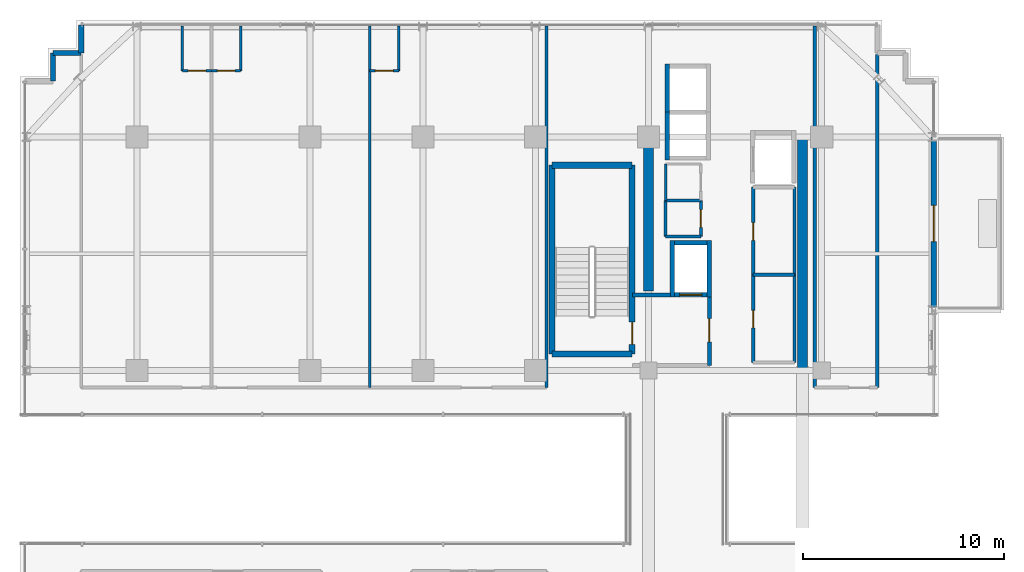
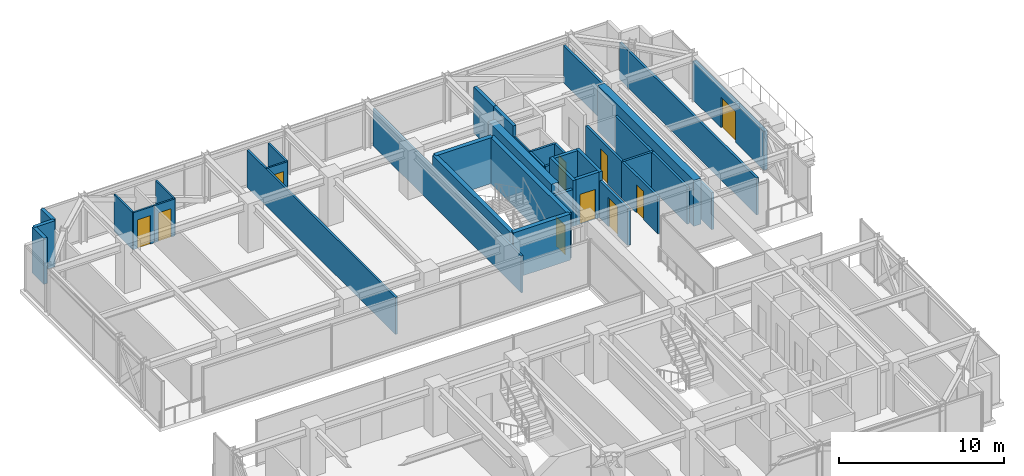
# One storey, part 33 of 38: 38 walls, 10 doors, 10 openings.
"""IFC4 building model written with IfcOpenShell, lengths in metres."""

from ifc_helpers import new_model, si_unit, direction, frame, frame_2d, origin, place, context, subcontext, project, spatial, rectangle, extrude, source, transform, mapped, material, layer, layer_set, type_object, element, fill, save


model = new_model("IFC4")

# Units and contexts
model_context = context("Model", 3, precision=1e-05, world=origin(), true_north=direction((0.0, 1.0)))
body_context = subcontext(model_context, "Body", "Model", "MODEL_VIEW")
ifc_project = project(units=[si_unit("LENGTHUNIT", "METRE"), si_unit("AREAUNIT", "SQUARE_METRE"), si_unit("VOLUMEUNIT", "CUBIC_METRE"), si_unit("PLANEANGLEUNIT", "RADIAN"), si_unit("MASSUNIT", "GRAM", prefix="KILO")], contexts=[model_context])

# Site, building, storey
site_placement = place(None, origin())
site = spatial("IfcSite", under=ifc_project, at=site_placement, CompositionType="ELEMENT")
building_placement = place(site_placement, origin())
building = spatial("IfcBuilding", under=site, at=building_placement, Name="Nahalor Promenade Grand Hotel", CompositionType="ELEMENT")
storey_placement = place(building_placement, frame((0.0, 0.0, 163.60009765625)))
storey = spatial("IfcBuildingStorey", under=building, at=storey_placement, Name="L41", CompositionType="ELEMENT", Elevation=163.60009765625)

# Walls
ifc_material_1 = material(Name="Concrete B-60 (C50/60)", Category="concrete")
ifc_layer_1 = layer(ifc_material_1, 0.5)
ifc_layer_set_1 = layer_set([ifc_layer_1], Name="Concrete B-60 (C50/60)")
wall_type_1 = type_object("IfcWallType", Name="Wall-CoreShear-500", PredefinedType="SHEAR", material=ifc_layer_set_1)
shared_shape_1 = source(origin(), body_context, "Body", "SweptSolid", [
    extrude(rectangle(XDim=7.64990234375, YDim=0.5, at=frame_2d((3.824951171875, 0.0))), origin(), (0.0, 0.0, 1.0), 3.389892578125),
])
wall_1_placement = place(storey_placement, frame((8.39990234375, 9.35009765625, 0.0), z_axis=(0.0, 0.0, 1.0), x_axis=(0.0, 1.0, 0.0)))
element("IfcWall", 1, at=wall_1_placement, inside=storey, type_object=wall_type_1, Name="CWALL-L41-NW", PredefinedType="SHEAR", context=body_context, shape_type="MappedRepresentation", body=[
    mapped(shared_shape_1, transform((0.0, 0.0, 0.0), scale=1.0)),
])
shared_shape_2 = source(origin(), body_context, "Body", "SweptSolid", [
    extrude(rectangle(XDim=11.60009765625, YDim=0.5, at=frame_2d((5.800048828125, 0.0))), origin(), (0.0, 0.0, 1.0), 3.389892578125),
])
wall_2_placement = place(storey_placement, frame((16.050048828125, 5.39990234375, 0.0), z_axis=(0.0, 0.0, 1.0), x_axis=(0.0, 1.0, 0.0)))
element("IfcWall", 2, at=wall_2_placement, inside=storey, type_object=wall_type_1, Name="CWALL-L41-NE", PredefinedType="SHEAR", context=body_context, shape_type="MappedRepresentation", body=[
    mapped(shared_shape_2, transform((0.0, 0.0, 0.0), scale=1.0)),
])
ifc_material_2 = material(Name="Concrete B-50 (C40/50)", Category="concrete")
ifc_layer_2 = layer(ifc_material_2, 0.300048828125)
ifc_layer_set_2 = layer_set([ifc_layer_2], Name="Concrete B-50 (C40/50)")
wall_type_2 = type_object("IfcWallType", Name="Wall-ShaftShear-300", PredefinedType="SHEAR", material=ifc_layer_set_2)
shared_shape_3 = source(origin(), body_context, "Body", "SweptSolid", [
    extrude(rectangle(XDim=3.97998046875, YDim=0.300048828125, at=frame_2d((1.989990234375, 0.0))), origin(), (0.0, 0.0, 1.0), 3.389892578125),
])
for number, where, z_axis, x_axis, name in (
    (3, (3.610107421875, 6.2099609375, 0.0), (0.0, 0.0, 1.0), (1.0, 0.0, 0.0), "L41 Exit Stair ST1 Shaft Wall S"),
    (4, (3.610107421875, 15.590087890625, 0.0), (0.0, 0.0, 1.0), (1.0, 0.0, 0.0), "L41 Exit Stair ST1 Shaft Wall N"),
):
    element("IfcWall", number, at=place(storey_placement, frame(where, z_axis=z_axis, x_axis=x_axis)), inside=storey, type_object=wall_type_2, Name=name, PredefinedType="SHEAR", context=body_context, shape_type="MappedRepresentation", body=[
        mapped(shared_shape_3, transform((0.0, 0.0, 0.0), scale=1.0)),
    ])
shared_shape_4 = source(origin(), body_context, "Body", "SweptSolid", [
    extrude(rectangle(XDim=9.380126953125, YDim=0.300048828125, at=frame_2d((4.68994140625, 0.0))), origin(), (0.0, 0.0, 1.0), 3.389892578125),
])
wall_3_placement = place(storey_placement, frame((3.610107421875, 6.2099609375, 0.0), z_axis=(0.0, 0.0, 1.0), x_axis=(0.0, 1.0, 0.0)))
element("IfcWall", 5, at=wall_3_placement, inside=storey, type_object=wall_type_2, Name="L41 Exit Stair ST1 Shaft Wall W", PredefinedType="SHEAR", context=body_context, shape_type="MappedRepresentation", body=[
    mapped(shared_shape_4, transform((0.0, 0.0, 0.0), scale=1.0)),
])

# Wall, opening, door
wall_4_placement = place(storey_placement, frame((7.590087890625, 6.2099609375, 0.0), z_axis=(0.0, 0.0, 1.0), x_axis=(0.0, 1.0, 0.0)))
wall_4 = element("IfcWall", 6, at=wall_4_placement, inside=storey, type_object=wall_type_2, Name="L41 Exit Stair ST1 Shaft Wall E", PredefinedType="SHEAR", context=body_context, shape_type="MappedRepresentation", body=[
    mapped(shared_shape_4, transform((0.0, 0.0, 0.0), scale=1.0)),
])
opening_1_placement = place(wall_4_placement, frame((0.489990234375, 0.0, 0.0)))
opening_1 = element("IfcOpeningElement", 7, at=opening_1_placement, cuts=wall_4, Name="Opening D-ST1", PredefinedType="OPENING", context=body_context, shape_type="SweptSolid", body=[
    extrude(rectangle(XDim=1.10009765625, YDim=2.14990234375, at=frame_2d((0.550048828125, 1.074951171875))), frame((0.0, 0.159912109375, 0.0), z_axis=(0.0, -1.0, 0.0), x_axis=(1.0, 0.0, 0.0)), (0.0, 0.0, 1.0), 0.320068359375),
])
ifc_material_3 = material(Name="Steel S355JR", Category="steel")
door_type_1 = type_object("IfcDoorType", Name="Door-StairFire-1100", OperationType="NOTDEFINED", PredefinedType="DOOR", material=ifc_material_3)
shared_shape_5 = source(origin(), body_context, "Body", "SweptSolid", [
    extrude(rectangle(XDim=1.10009765625, YDim=2.14990234375, at=frame_2d((0.550048828125, 1.074951171875))), frame((0.0, 0.02490234375, 0.0), z_axis=(0.0, -1.0, 0.0), x_axis=(1.0, 0.0, 0.0)), (0.0, 0.0, 1.0), 0.050048828125),
])
door_1_placement = place(opening_1_placement, origin())
door_1 = element("IfcDoor", 8, at=door_1_placement, inside=storey, type_object=door_type_1, Name="DR-STAIR-ST1-L41", OperationType="SINGLE_SWING_RIGHT", OverallHeight=2.14990234375, OverallWidth=1.10009765625, PredefinedType="DOOR", context=body_context, shape_type="MappedRepresentation", body=[
    mapped(shared_shape_5, transform((0.0, 0.0, 0.0), scale=1.0)),
])
fill(opening_1, door_1)

# Walls
ifc_layer_3 = layer(ifc_material_2, 0.219970703125)
ifc_layer_set_3 = layer_set([ifc_layer_3], Name="Concrete B-50 (C40/50)")
wall_type_3 = type_object("IfcWallType", Name="Wall-LiftShaft-220", PredefinedType="SHEAR", material=ifc_layer_set_3)
shared_shape_6 = source(origin(), body_context, "Body", "SweptSolid", [
    extrude(rectangle(XDim=2.385009765625, YDim=0.219970703125, at=frame_2d((1.1923828125, 0.0))), origin(), (0.0, 0.0, 1.0), 3.389892578125),
])
for number, where, z_axis, x_axis, name in (
    (9, (9.330078125, 15.840087890625, 0.0), (0.0, 0.0, 1.0), (0.0, 1.0, 0.0), "L41 Lift OB1 Hoistway Wall W"),
    (10, (9.330078125, 18.22509765625, 0.0), (0.0, 0.0, 1.0), (0.0, 1.0, 0.0), "L41 Lift OB2 Hoistway Wall W"),
):
    element("IfcWall", number, at=place(storey_placement, frame(where, z_axis=z_axis, x_axis=x_axis)), inside=storey, type_object=wall_type_3, Name=name, PredefinedType="SHEAR", context=body_context, shape_type="MappedRepresentation", body=[
        mapped(shared_shape_6, transform((0.0, 0.0, 0.0), scale=1.0)),
    ])
shared_shape_7 = source(origin(), body_context, "Body", "SweptSolid", [
    extrude(rectangle(XDim=2.820068359375, YDim=0.219970703125, at=frame_2d((1.41015625, 0.0))), origin(), (0.0, 0.0, 1.0), 3.389892578125),
])
for number, where, z_axis, x_axis, name in (
    (11, (9.580078125, 9.0400390625, 0.0), (0.0, 0.0, 1.0), (0.0, 1.0, 0.0), "L41 Lift FL1 Hoistway Wall W"),
    (12, (11.419921875, 9.0400390625, 0.0), (0.0, 0.0, 1.0), (0.0, 1.0, 0.0), "L41 Lift FL1 Hoistway Wall E"),
):
    element("IfcWall", number, at=place(storey_placement, frame(where, z_axis=z_axis, x_axis=x_axis)), inside=storey, type_object=wall_type_3, Name=name, PredefinedType="SHEAR", context=body_context, shape_type="MappedRepresentation", body=[
        mapped(shared_shape_7, transform((0.0, 0.0, 0.0), scale=1.0)),
    ])

# Wall, opening, door
shared_shape_8 = source(origin(), body_context, "Body", "SweptSolid", [
    extrude(rectangle(XDim=1.6201171875, YDim=0.219970703125, at=frame_2d((0.81005859375, 0.0))), origin(), (0.0, 0.0, 1.0), 3.389892578125),
])
wall_5_placement = place(storey_placement, frame((9.68994140625, 9.14990234375, 0.0), z_axis=(0.0, 0.0, 1.0), x_axis=(1.0, 0.0, 0.0)))
wall_5 = element("IfcWall", 13, at=wall_5_placement, inside=storey, type_object=wall_type_3, Name="L41 Lift FL1 Hoistway Wall S", PredefinedType="SHEAR", context=body_context, shape_type="MappedRepresentation", body=[
    mapped(shared_shape_8, transform((0.0, 0.0, 0.0), scale=1.0)),
])
opening_2_placement = place(wall_5_placement, frame((0.260009765625, 0.0, 0.0)))
opening_2 = element("IfcOpeningElement", 14, at=opening_2_placement, cuts=wall_5, Name="Opening LD-02", PredefinedType="OPENING", context=body_context, shape_type="SweptSolid", body=[
    extrude(rectangle(XDim=1.10009765625, YDim=2.199951171875, at=frame_2d((0.550048828125, 1.10009765625))), frame((0.0, 0.119873046875, 0.0), z_axis=(0.0, -1.0, 0.0), x_axis=(1.0, 0.0, 0.0)), (0.0, 0.0, 1.0), 0.239990234375),
])
door_type_2 = type_object("IfcDoorType", Name="Door-LiftFF-1100", OperationType="DOUBLE_DOOR_SLIDING", PredefinedType="DOOR", material=ifc_material_3)
shared_shape_9 = source(origin(), body_context, "Body", "SweptSolid", [
    extrude(rectangle(XDim=1.10009765625, YDim=2.199951171875, at=frame_2d((0.550048828125, 1.10009765625))), frame((0.0, 0.02490234375, 0.0), z_axis=(0.0, -1.0, 0.0), x_axis=(1.0, 0.0, 0.0)), (0.0, 0.0, 1.0), 0.050048828125),
])
door_2_placement = place(opening_2_placement, frame((1.10009765625, 0.0, 0.0), z_axis=(0.0, 0.0, 1.0), x_axis=(-1.0, 0.0, 0.0)))
door_2 = element("IfcDoor", 15, at=door_2_placement, inside=storey, type_object=door_type_2, Name="DR-LIFT-FL1-L41", OperationType="DOUBLE_DOOR_SLIDING", OverallHeight=2.199951171875, OverallWidth=1.10009765625, PredefinedType="DOOR", context=body_context, shape_type="MappedRepresentation", body=[
    mapped(shared_shape_9, transform((0.0, 0.0, 0.0), scale=1.0)),
])
fill(opening_2, door_2)

# Walls
wall_6_placement = place(storey_placement, frame((9.68994140625, 11.75, 0.0), z_axis=(0.0, 0.0, 1.0), x_axis=(1.0, 0.0, 0.0)))
element("IfcWall", 16, at=wall_6_placement, inside=storey, type_object=wall_type_3, Name="L41 Lift FL1 Hoistway Wall N", PredefinedType="SHEAR", context=body_context, shape_type="MappedRepresentation", body=[
    mapped(shared_shape_8, transform((0.0, 0.0, 0.0), scale=1.0)),
])
ifc_material_4 = material(Name="Concrete B-40 (C32/40)", Category="concrete")
ifc_layer_4 = layer(ifc_material_4, 0.25)
ifc_layer_set_4 = layer_set([ifc_layer_4], Name="Concrete B-40 (C32/40)")
wall_type_4 = type_object("IfcWallType", Name="Wall-BronzePier-250", PredefinedType="STANDARD", material=ifc_layer_set_4)
shared_shape_10 = source(origin(), body_context, "Body", "SweptSolid", [
    extrude(rectangle(XDim=1.400146484375, YDim=0.25, at=frame_2d((0.7001953125, 0.0))), origin(), (0.0, 0.0, 1.0), 3.389892578125),
])
wall_7_placement = place(storey_placement, frame((-19.760009765625, 21.159912109375, 0.0), z_axis=(0.0, 0.0, 1.0), x_axis=(0.0, 1.0, 0.0)))
element("IfcWall", 17, at=wall_7_placement, inside=storey, type_object=wall_type_4, Name="W-L41-SR-09", PredefinedType="STANDARD", context=body_context, shape_type="MappedRepresentation", body=[
    mapped(shared_shape_10, transform((0.0, 0.0, 0.0), scale=1.0)),
])
shared_shape_11 = source(origin(), body_context, "Body", "SweptSolid", [
    extrude(rectangle(XDim=1.39990234375, YDim=0.25, at=frame_2d((0.699951171875, 0.0))), origin(), (0.0, 0.0, 1.0), 3.389892578125),
])
for number, where, z_axis, x_axis, name in (
    (18, (-21.159912109375, 21.159912109375, 0.0), (0.0, 0.0, 1.0), (1.0, 0.0, 0.0), "W-L41-SR-10"),
    (19, (-21.159912109375, 19.760009765625, 0.0), (0.0, 0.0, 1.0), (0.0, 1.0, 0.0), "W-L41-SR-11"),
):
    element("IfcWall", number, at=place(storey_placement, frame(where, z_axis=z_axis, x_axis=x_axis)), inside=storey, type_object=wall_type_4, Name=name, PredefinedType="STANDARD", context=body_context, shape_type="MappedRepresentation", body=[
        mapped(shared_shape_11, transform((0.0, 0.0, 0.0), scale=1.0)),
    ])

# Wall, opening, door
ifc_layer_5 = layer(ifc_material_4, 0.260009765625)
ifc_layer_set_5 = layer_set([ifc_layer_5], Name="Concrete B-40 (C32/40)")
wall_type_5 = type_object("IfcWallType", Name="Wall-BalconyWall-260", PredefinedType="STANDARD", material=ifc_layer_set_5)
shared_shape_12 = source(origin(), body_context, "Body", "SweptSolid", [
    extrude(rectangle(XDim=8.60009765625, YDim=0.260009765625, at=frame_2d((4.300048828125, 0.0))), origin(), (0.0, 0.0, 1.0), 2.869873046875),
])
wall_8_placement = place(storey_placement, frame((22.56005859375, 8.39990234375, 0.0), z_axis=(0.0, 0.0, 1.0), x_axis=(0.0, 1.0, 0.0)))
wall_8 = element("IfcWall", 20, at=wall_8_placement, inside=storey, type_object=wall_type_5, Name="W-L41-BALC-E-3", PredefinedType="STANDARD", context=body_context, shape_type="MappedRepresentation", body=[
    mapped(shared_shape_12, transform((0.0, 0.0, 0.0), scale=1.0)),
])
opening_3_placement = place(wall_8_placement, frame((3.39990234375, 0.0, 0.0)))
opening_3 = element("IfcOpeningElement", 21, at=opening_3_placement, cuts=wall_8, Name="Opening D-BC1", PredefinedType="OPENING", context=body_context, shape_type="SweptSolid", body=[
    extrude(rectangle(XDim=1.800048828125, YDim=2.25, at=frame_2d((0.89990234375, 1.125))), frame((0.0, 0.139892578125, 0.0), z_axis=(0.0, -1.0, 0.0), x_axis=(1.0, 0.0, 0.0)), (0.0, 0.0, 1.0), 0.280029296875),
])
ifc_material_5 = material(Name="Anodised Bronze Aluminium EN AW-6063 T6", Category="aluminium")
door_type_3 = type_object("IfcDoorType", Name="Door-BalconySlide-1800", OperationType="DOUBLE_DOOR_SLIDING", PredefinedType="DOOR", material=ifc_material_5)
shared_shape_13 = source(origin(), body_context, "Body", "SweptSolid", [
    extrude(rectangle(XDim=1.800048828125, YDim=2.25, at=frame_2d((0.89990234375, 1.125))), frame((0.0, 0.02490234375, 0.0), z_axis=(0.0, -1.0, 0.0), x_axis=(1.0, 0.0, 0.0)), (0.0, 0.0, 1.0), 0.050048828125),
])
door_3_placement = place(opening_3_placement, frame((1.800048828125, 0.0, 0.0), z_axis=(0.0, 0.0, 1.0), x_axis=(-1.0, 0.0, 0.0)))
door_3 = element("IfcDoor", 22, at=door_3_placement, inside=storey, type_object=door_type_3, Name="DR-L41-BALC-E-3", OperationType="DOUBLE_DOOR_SLIDING", OverallHeight=2.25, OverallWidth=1.800048828125, PredefinedType="DOOR", context=body_context, shape_type="MappedRepresentation", body=[
    mapped(shared_shape_13, transform((0.0, 0.0, 0.0), scale=1.0)),
])
fill(opening_3, door_3)

# Wall
ifc_layer_6 = layer(ifc_material_4, 0.199951171875)
ifc_layer_set_6 = layer_set([ifc_layer_6], Name="Concrete B-40 (C32/40)")
wall_type_6 = type_object("IfcWallType", Name="Wall-PartFire-200", PredefinedType="PARTITIONING", material=ifc_layer_set_6)
shared_shape_14 = source(origin(), body_context, "Body", "SweptSolid", [
    extrude(rectangle(XDim=1.89990234375, YDim=0.199951171875, at=frame_2d((0.949951171875, 0.0))), origin(), (0.0, 0.0, 1.0), 2.72998046875),
])
wall_9_placement = place(storey_placement, frame((7.60009765625, 9.14990234375, 0.0), z_axis=(0.0, 0.0, 1.0), x_axis=(1.0, 0.0, 0.0)))
element("IfcWall", 23, at=wall_9_placement, inside=storey, type_object=wall_type_6, Name="W-L41-FF1-N", PredefinedType="PARTITIONING", context=body_context, shape_type="MappedRepresentation", body=[
    mapped(shared_shape_14, transform((0.0, 0.0, 0.0), scale=1.0)),
])

# Wall, opening, door
shared_shape_15 = source(origin(), body_context, "Body", "SweptSolid", [
    extrude(rectangle(XDim=3.5, YDim=0.199951171875, at=frame_2d((1.75, 0.0))), origin(), (0.0, 0.0, 1.0), 2.72998046875),
])
wall_10_placement = place(storey_placement, frame((11.419921875, 5.64990234375, 0.0), z_axis=(0.0, 0.0, 1.0), x_axis=(0.0, 1.0, 0.0)))
wall_10 = element("IfcWall", 24, at=wall_10_placement, inside=storey, type_object=wall_type_6, Name="W-L41-FF1-E", PredefinedType="PARTITIONING", context=body_context, shape_type="MappedRepresentation", body=[
    mapped(shared_shape_15, transform((0.0, 0.0, 0.0), scale=1.0)),
])
opening_4_placement = place(wall_10_placement, frame((1.175048828125, 0.0, 0.0)))
opening_4 = element("IfcOpeningElement", 25, at=opening_4_placement, cuts=wall_10, Name="Opening D-FF1", PredefinedType="OPENING", context=body_context, shape_type="SweptSolid", body=[
    extrude(rectangle(XDim=1.14990234375, YDim=2.14990234375, at=frame_2d((0.574951171875, 1.074951171875))), frame((0.0, 0.10986328125, 0.0), z_axis=(0.0, -1.0, 0.0), x_axis=(1.0, 0.0, 0.0)), (0.0, 0.0, 1.0), 0.219970703125),
])
door_type_4 = type_object("IfcDoorType", Name="Door-FFLobby-1150", OperationType="NOTDEFINED", PredefinedType="DOOR", material=ifc_material_3)
shared_shape_16 = source(origin(), body_context, "Body", "SweptSolid", [
    extrude(rectangle(XDim=1.14990234375, YDim=2.14990234375, at=frame_2d((0.574951171875, 1.074951171875))), frame((0.0, 0.02490234375, 0.0), z_axis=(0.0, -1.0, 0.0), x_axis=(1.0, 0.0, 0.0)), (0.0, 0.0, 1.0), 0.050048828125),
])
door_4_placement = place(opening_4_placement, frame((1.14990234375, 0.0, 0.0), z_axis=(0.0, 0.0, 1.0), x_axis=(-1.0, 0.0, 0.0)))
door_4 = element("IfcDoor", 26, at=door_4_placement, inside=storey, type_object=door_type_4, Name="DR-L41-FFL1", OperationType="SINGLE_SWING_LEFT", OverallHeight=2.14990234375, OverallWidth=1.14990234375, PredefinedType="DOOR", context=body_context, shape_type="MappedRepresentation", body=[
    mapped(shared_shape_16, transform((0.0, 0.0, 0.0), scale=1.0)),
])
fill(opening_4, door_4)

# Walls
ifc_material_6 = material(Name="Acoustic Mineral Gypsum", Category="gypsum")
ifc_layer_7 = layer(ifc_material_6, 0.14990234375)
ifc_layer_set_7 = layer_set([ifc_layer_7], Name="Acoustic Mineral Gypsum")
wall_type_7 = type_object("IfcWallType", Name="Wall-PartService-150", PredefinedType="PARTITIONING", material=ifc_layer_set_7)
shared_shape_17 = source(origin(), body_context, "Body", "SweptSolid", [
    extrude(rectangle(XDim=1.75, YDim=0.14990234375, at=frame_2d((0.875, 0.0))), origin(), (0.0, 0.0, 1.0), 2.72998046875),
])
for number, where, z_axis, x_axis, name in (
    (27, (9.25, 12.050048828125, 0.0), (0.0, 0.0, 1.0), (1.0, 0.0, 0.0), "W-L41-CK2A-S"),
    (28, (9.25, 13.85009765625, 0.0), (0.0, 0.0, 1.0), (1.0, 0.0, 0.0), "W-L41-CK2A-N"),
):
    element("IfcWall", number, at=place(storey_placement, frame(where, z_axis=z_axis, x_axis=x_axis)), inside=storey, type_object=wall_type_7, Name=name, PredefinedType="PARTITIONING", context=body_context, shape_type="MappedRepresentation", body=[
        mapped(shared_shape_17, transform((0.0, 0.0, 0.0), scale=1.0)),
    ])
ifc_layer_8 = layer(ifc_material_6, 0.159912109375)
ifc_layer_set_8 = layer_set([ifc_layer_8], Name="Acoustic Mineral Gypsum")
wall_type_8 = type_object("IfcWallType", Name="Wall-PartCorridor-160", PredefinedType="PARTITIONING", material=ifc_layer_set_8)
shared_shape_18 = source(origin(), body_context, "Body", "SweptSolid", [
    extrude(rectangle(XDim=2.0498046875, YDim=0.159912109375, at=frame_2d((1.02490234375, 0.0))), origin(), (0.0, 0.0, 1.0), 2.72998046875),
])
wall_11_placement = place(storey_placement, frame((13.60009765625, 10.14990234375, 0.0), z_axis=(0.0, 0.0, 1.0), x_axis=(1.0, 0.0, 0.0)))
element("IfcWall", 29, at=wall_11_placement, inside=storey, type_object=wall_type_8, Name="W-L41-FRB1A-N", PredefinedType="PARTITIONING", context=body_context, shape_type="MappedRepresentation", body=[
    mapped(shared_shape_18, transform((0.0, 0.0, 0.0), scale=1.0)),
])
shared_shape_19 = source(origin(), body_context, "Body", "SweptSolid", [
    extrude(rectangle(XDim=17.949951171875, YDim=0.159912109375, at=frame_2d((8.97509765625, 0.0))), origin(), (0.0, 0.0, 1.0), 2.72998046875),
])
wall_12_placement = place(storey_placement, frame((16.64990234375, 4.550048828125, 0.0), z_axis=(0.0, 0.0, 1.0), x_axis=(0.0, 1.0, 0.0)))
element("IfcWall", 30, at=wall_12_placement, inside=storey, type_object=wall_type_8, Name="W-L41-ENE-W", PredefinedType="PARTITIONING", context=body_context, shape_type="MappedRepresentation", body=[
    mapped(shared_shape_19, transform((0.0, 0.0, 0.0), scale=1.0)),
])
shared_shape_20 = source(origin(), body_context, "Body", "SweptSolid", [
    extrude(rectangle(XDim=16.530029296875, YDim=0.159912109375, at=frame_2d((8.26513671875, 0.0))), origin(), (0.0, 0.0, 1.0), 2.72998046875),
])
wall_13_placement = place(storey_placement, frame((19.760009765625, 4.550048828125, 0.0), z_axis=(0.0, 0.0, 1.0), x_axis=(0.0, 1.0, 0.0)))
element("IfcWall", 31, at=wall_13_placement, inside=storey, type_object=wall_type_8, Name="W-L41-ENE-E", PredefinedType="PARTITIONING", context=body_context, shape_type="MappedRepresentation", body=[
    mapped(shared_shape_20, transform((0.0, 0.0, 0.0), scale=1.0)),
])

# Wall, opening, door
ifc_layer_9 = layer(ifc_material_6, 0.1201171875)
ifc_layer_set_9 = layer_set([ifc_layer_9], Name="Acoustic Mineral Gypsum")
wall_type_9 = type_object("IfcWallType", Name="Wall-PartBath-120", PredefinedType="PARTITIONING", material=ifc_layer_set_9)
shared_shape_21 = source(origin(), body_context, "Body", "SweptSolid", [
    extrude(rectangle(XDim=1.449951171875, YDim=0.1201171875, at=frame_2d((0.72509765625, 0.0))), origin(), (0.0, 0.0, 1.0), 2.72998046875),
])
wall_14_placement = place(storey_placement, frame((-14.741943359375, 20.280029296875, 0.0), z_axis=(0.0, 0.0, 1.0), x_axis=(1.0, 0.0, 0.0)))
wall_14 = element("IfcWall", 32, at=wall_14_placement, inside=storey, type_object=wall_type_9, Name="W-L41-N1-BH", PredefinedType="PARTITIONING", context=body_context, shape_type="MappedRepresentation", body=[
    mapped(shared_shape_21, transform((0.0, 0.0, 0.0), scale=1.0)),
])
opening_5_placement = place(wall_14_placement, frame((0.284912109375, 0.0, 0.0)))
opening_5 = element("IfcOpeningElement", 33, at=opening_5_placement, cuts=wall_14, Name="Opening D-03", PredefinedType="OPENING", context=body_context, shape_type="SweptSolid", body=[
    extrude(rectangle(XDim=0.8798828125, YDim=2.10009765625, at=frame_2d((0.43994140625, 1.050048828125))), frame((0.0, 0.070068359375, 0.0), z_axis=(0.0, -1.0, 0.0), x_axis=(1.0, 0.0, 0.0)), (0.0, 0.0, 1.0), 0.14013671875),
])
ifc_material_7 = material(Name="Fire-Rated Timber Composite", Category="wood")
door_type_5 = type_object("IfcDoorType", Name="Door-BathSwing-880", OperationType="NOTDEFINED", PredefinedType="DOOR", material=ifc_material_7)
shared_shape_22 = source(origin(), body_context, "Body", "SweptSolid", [
    extrude(rectangle(XDim=0.8798828125, YDim=2.10009765625, at=frame_2d((0.43994140625, 1.050048828125))), frame((0.0, 0.02490234375, 0.0), z_axis=(0.0, -1.0, 0.0), x_axis=(1.0, 0.0, 0.0)), (0.0, 0.0, 1.0), 0.050048828125),
])
door_5_placement = place(opening_5_placement, origin())
door_5 = element("IfcDoor", 34, at=door_5_placement, inside=storey, type_object=door_type_5, Name="DR-L41-N1-BATH", OperationType="SINGLE_SWING_LEFT", OverallHeight=2.10009765625, OverallWidth=0.8798828125, PredefinedType="DOOR", context=body_context, shape_type="MappedRepresentation", body=[
    mapped(shared_shape_22, transform((0.0, 0.0, 0.0), scale=1.0)),
])
fill(opening_5, door_5)

wall_15_placement = place(storey_placement, frame((-13.2919921875, 20.280029296875, 0.0), z_axis=(0.0, 0.0, 1.0), x_axis=(1.0, 0.0, 0.0)))
wall_15 = element("IfcWall", 35, at=wall_15_placement, inside=storey, type_object=wall_type_9, Name="W-L41-N2-BH", PredefinedType="PARTITIONING", context=body_context, shape_type="MappedRepresentation", body=[
    mapped(shared_shape_21, transform((0.0, 0.0, 0.0), scale=1.0)),
])
opening_6_placement = place(wall_15_placement, frame((0.284912109375, 0.0, 0.0)))
opening_6 = element("IfcOpeningElement", 36, at=opening_6_placement, cuts=wall_15, Name="Opening D-03", PredefinedType="OPENING", context=body_context, shape_type="SweptSolid", body=[
    extrude(rectangle(XDim=0.8798828125, YDim=2.10009765625, at=frame_2d((0.43994140625, 1.050048828125))), frame((0.0, 0.070068359375, 0.0), z_axis=(0.0, -1.0, 0.0), x_axis=(1.0, 0.0, 0.0)), (0.0, 0.0, 1.0), 0.14013671875),
])
door_6_placement = place(opening_6_placement, origin())
door_6 = element("IfcDoor", 37, at=door_6_placement, inside=storey, type_object=door_type_5, Name="DR-L41-N2-BATH", OperationType="SINGLE_SWING_LEFT", OverallHeight=2.10009765625, OverallWidth=0.8798828125, PredefinedType="DOOR", context=body_context, shape_type="MappedRepresentation", body=[
    mapped(shared_shape_22, transform((0.0, 0.0, 0.0), scale=1.0)),
])
fill(opening_6, door_6)

wall_16_placement = place(storey_placement, frame((-5.43798828125, 20.280029296875, 0.0), z_axis=(0.0, 0.0, 1.0), x_axis=(1.0, 0.0, 0.0)))
wall_16 = element("IfcWall", 38, at=wall_16_placement, inside=storey, type_object=wall_type_9, Name="W-L41-N3-BH", PredefinedType="PARTITIONING", context=body_context, shape_type="MappedRepresentation", body=[
    mapped(shared_shape_21, transform((0.0, 0.0, 0.0), scale=1.0)),
])
opening_7_placement = place(wall_16_placement, frame((0.284912109375, 0.0, 0.0)))
opening_7 = element("IfcOpeningElement", 39, at=opening_7_placement, cuts=wall_16, Name="Opening D-03", PredefinedType="OPENING", context=body_context, shape_type="SweptSolid", body=[
    extrude(rectangle(XDim=0.8798828125, YDim=2.10009765625, at=frame_2d((0.43994140625, 1.050048828125))), frame((0.0, 0.070068359375, 0.0), z_axis=(0.0, -1.0, 0.0), x_axis=(1.0, 0.0, 0.0)), (0.0, 0.0, 1.0), 0.14013671875),
])
door_7_placement = place(opening_7_placement, origin())
door_7 = element("IfcDoor", 40, at=door_7_placement, inside=storey, type_object=door_type_5, Name="DR-L41-N3-BATH", OperationType="SINGLE_SWING_RIGHT", OverallHeight=2.10009765625, OverallWidth=0.8798828125, PredefinedType="DOOR", context=body_context, shape_type="MappedRepresentation", body=[
    mapped(shared_shape_22, transform((0.0, 0.0, 0.0), scale=1.0)),
])
fill(opening_7, door_7)

# Walls
shared_shape_23 = source(origin(), body_context, "Body", "SweptSolid", [
    extrude(rectangle(XDim=2.219970703125, YDim=0.1201171875, at=frame_2d((1.10986328125, 0.0))), origin(), (0.0, 0.0, 1.0), 2.72998046875),
])
for number, where, z_axis, x_axis, name in (
    (41, (-14.741943359375, 20.280029296875, 0.0), (0.0, 0.0, 1.0), (0.0, 1.0, 0.0), "W-L41-N1-BV"),
    (42, (-11.842041015625, 20.280029296875, 0.0), (0.0, 0.0, 1.0), (0.0, 1.0, 0.0), "W-L41-N2-BV"),
    (43, (-3.988037109375, 20.280029296875, 0.0), (0.0, 0.0, 1.0), (0.0, 1.0, 0.0), "W-L41-N3-BV"),
):
    element("IfcWall", number, at=place(storey_placement, frame(where, z_axis=z_axis, x_axis=x_axis)), inside=storey, type_object=wall_type_9, Name=name, PredefinedType="PARTITIONING", context=body_context, shape_type="MappedRepresentation", body=[
        mapped(shared_shape_23, transform((0.0, 0.0, 0.0), scale=1.0)),
    ])
ifc_layer_10 = layer(ifc_material_6, 0.139892578125)
ifc_layer_set_10 = layer_set([ifc_layer_10], Name="Acoustic Mineral Gypsum")
wall_type_10 = type_object("IfcWallType", Name="Wall-PartSuite-140", PredefinedType="PARTITIONING", material=ifc_layer_set_10)
shared_shape_24 = source(origin(), body_context, "Body", "SweptSolid", [
    extrude(rectangle(XDim=17.949951171875, YDim=0.139892578125, at=frame_2d((8.97509765625, 0.0))), origin(), (0.0, 0.0, 1.0), 2.72998046875),
])
for number, where, z_axis, x_axis, name in (
    (44, (3.340087890625, 4.550048828125, 0.0), (0.0, 0.0, 1.0), (0.0, 1.0, 0.0), "W-L41-NW-ENDE"),
    (45, (-5.43798828125, 4.550048828125, 0.0), (0.0, 0.0, 1.0), (0.0, 1.0, 0.0), "W-L41-NP-2"),
):
    element("IfcWall", number, at=place(storey_placement, frame(where, z_axis=z_axis, x_axis=x_axis)), inside=storey, type_object=wall_type_10, Name=name, PredefinedType="PARTITIONING", context=body_context, shape_type="MappedRepresentation", body=[
        mapped(shared_shape_24, transform((0.0, 0.0, 0.0), scale=1.0)),
    ])
shared_shape_25 = source(origin(), body_context, "Body", "SweptSolid", [
    extrude(rectangle(XDim=1.800048828125, YDim=0.14990234375, at=frame_2d((0.89990234375, 0.0))), origin(), (0.0, 0.0, 1.0), 2.72998046875),
])
wall_17_placement = place(storey_placement, frame((9.25, 12.050048828125, 0.0), z_axis=(0.0, 0.0, 1.0), x_axis=(0.0, 1.0, 0.0)))
element("IfcWall", 46, at=wall_17_placement, inside=storey, type_object=wall_type_7, Name="W-L41-CK2A-W", PredefinedType="PARTITIONING", context=body_context, shape_type="MappedRepresentation", body=[
    mapped(shared_shape_25, transform((0.0, 0.0, 0.0), scale=1.0)),
])

# Wall, opening, door
wall_18_placement = place(storey_placement, frame((11.0, 12.050048828125, 0.0), z_axis=(0.0, 0.0, 1.0), x_axis=(0.0, 1.0, 0.0)))
wall_18 = element("IfcWall", 47, at=wall_18_placement, inside=storey, type_object=wall_type_7, Name="W-L41-CK2A-E", PredefinedType="PARTITIONING", context=body_context, shape_type="MappedRepresentation", body=[
    mapped(shared_shape_25, transform((0.0, 0.0, 0.0), scale=1.0)),
])
opening_8_placement = place(wall_18_placement, frame((0.4599609375, 0.0, 0.0)))
opening_8 = element("IfcOpeningElement", 48, at=opening_8_placement, cuts=wall_18, Name="Opening D-03", PredefinedType="OPENING", context=body_context, shape_type="SweptSolid", body=[
    extrude(rectangle(XDim=0.8798828125, YDim=2.10009765625, at=frame_2d((0.43994140625, 1.050048828125))), frame((0.0, 0.0849609375, 0.0), z_axis=(0.0, -1.0, 0.0), x_axis=(1.0, 0.0, 0.0)), (0.0, 0.0, 1.0), 0.169921875),
])
door_8_placement = place(opening_8_placement, origin())
door_8 = element("IfcDoor", 49, at=door_8_placement, inside=storey, type_object=door_type_5, Name="DR-L41-CK2A", OperationType="SINGLE_SWING_LEFT", OverallHeight=2.10009765625, OverallWidth=0.8798828125, PredefinedType="DOOR", context=body_context, shape_type="MappedRepresentation", body=[
    mapped(shared_shape_22, transform((0.0, 0.0, 0.0), scale=1.0)),
])
fill(opening_8, door_8)

# Wall
shared_shape_26 = source(origin(), body_context, "Body", "SweptSolid", [
    extrude(rectangle(XDim=1.7998046875, YDim=0.1201171875, at=frame_2d((0.89990234375, 0.0))), origin(), (0.0, 0.0, 1.0), 2.72998046875),
])
wall_19_placement = place(storey_placement, frame((9.25, 13.85009765625, 0.0), z_axis=(0.0, 0.0, 1.0), x_axis=(0.0, 1.0, 0.0)))
element("IfcWall", 50, at=wall_19_placement, inside=storey, type_object=wall_type_9, Name="W-L41-CK2B-W", PredefinedType="PARTITIONING", context=body_context, shape_type="MappedRepresentation", body=[
    mapped(shared_shape_26, transform((0.0, 0.0, 0.0), scale=1.0)),
])

# Wall, opening, door
shared_shape_27 = source(origin(), body_context, "Body", "SweptSolid", [
    extrude(rectangle(XDim=4.349853515625, YDim=0.159912109375, at=frame_2d((2.1748046875, 0.0))), origin(), (0.0, 0.0, 1.0), 2.72998046875),
])
wall_20_placement = place(storey_placement, frame((13.60009765625, 5.800048828125, 0.0), z_axis=(0.0, 0.0, 1.0), x_axis=(0.0, 1.0, 0.0)))
wall_20 = element("IfcWall", 51, at=wall_20_placement, inside=storey, type_object=wall_type_8, Name="W-L41-FRB1A-W", PredefinedType="PARTITIONING", context=body_context, shape_type="MappedRepresentation", body=[
    mapped(shared_shape_27, transform((0.0, 0.0, 0.0), scale=1.0)),
])
opening_9_placement = place(wall_20_placement, frame((1.7099609375, 0.0, 0.0)))
opening_9 = element("IfcOpeningElement", 52, at=opening_9_placement, cuts=wall_20, Name="Opening D-03", PredefinedType="OPENING", context=body_context, shape_type="SweptSolid", body=[
    extrude(rectangle(XDim=0.8798828125, YDim=2.10009765625, at=frame_2d((0.43994140625, 1.050048828125))), frame((0.0, 0.08984375, 0.0), z_axis=(0.0, -1.0, 0.0), x_axis=(1.0, 0.0, 0.0)), (0.0, 0.0, 1.0), 0.179931640625),
])
door_9_placement = place(opening_9_placement, frame((0.8798828125, 0.0, 0.0), z_axis=(0.0, 0.0, 1.0), x_axis=(-1.0, 0.0, 0.0)))
door_9 = element("IfcDoor", 53, at=door_9_placement, inside=storey, type_object=door_type_5, Name="DR-L41-FRB1A", OperationType="SINGLE_SWING_LEFT", OverallHeight=2.10009765625, OverallWidth=0.8798828125, PredefinedType="DOOR", context=body_context, shape_type="MappedRepresentation", body=[
    mapped(shared_shape_22, transform((0.0, 0.0, 0.0), scale=1.0)),
])
fill(opening_9, door_9)

# Wall
wall_21_placement = place(storey_placement, frame((15.64990234375, 5.800048828125, 0.0), z_axis=(0.0, 0.0, 1.0), x_axis=(0.0, 1.0, 0.0)))
element("IfcWall", 54, at=wall_21_placement, inside=storey, type_object=wall_type_8, Name="W-L41-FRB1A-E", PredefinedType="PARTITIONING", context=body_context, shape_type="MappedRepresentation", body=[
    mapped(shared_shape_27, transform((0.0, 0.0, 0.0), scale=1.0)),
])

# Wall, opening, door
shared_shape_28 = source(origin(), body_context, "Body", "SweptSolid", [
    extrude(rectangle(XDim=4.35009765625, YDim=0.159912109375, at=frame_2d((2.175048828125, 0.0))), origin(), (0.0, 0.0, 1.0), 2.72998046875),
])
wall_22_placement = place(storey_placement, frame((13.60009765625, 10.14990234375, 0.0), z_axis=(0.0, 0.0, 1.0), x_axis=(0.0, 1.0, 0.0)))
wall_22 = element("IfcWall", 55, at=wall_22_placement, inside=storey, type_object=wall_type_8, Name="W-L41-FRB1B-W", PredefinedType="PARTITIONING", context=body_context, shape_type="MappedRepresentation", body=[
    mapped(shared_shape_28, transform((0.0, 0.0, 0.0), scale=1.0)),
])
opening_10_placement = place(wall_22_placement, frame((1.7099609375, 0.0, 0.0)))
opening_10 = element("IfcOpeningElement", 56, at=opening_10_placement, cuts=wall_22, Name="Opening D-03", PredefinedType="OPENING", context=body_context, shape_type="SweptSolid", body=[
    extrude(rectangle(XDim=0.8798828125, YDim=2.10009765625, at=frame_2d((0.43994140625, 1.050048828125))), frame((0.0, 0.08984375, 0.0), z_axis=(0.0, -1.0, 0.0), x_axis=(1.0, 0.0, 0.0)), (0.0, 0.0, 1.0), 0.179931640625),
])
door_10_placement = place(opening_10_placement, frame((0.8798828125, 0.0, 0.0), z_axis=(0.0, 0.0, 1.0), x_axis=(-1.0, 0.0, 0.0)))
door_10 = element("IfcDoor", 57, at=door_10_placement, inside=storey, type_object=door_type_5, Name="DR-L41-FRB1B", OperationType="SINGLE_SWING_RIGHT", OverallHeight=2.10009765625, OverallWidth=0.8798828125, PredefinedType="DOOR", context=body_context, shape_type="MappedRepresentation", body=[
    mapped(shared_shape_22, transform((0.0, 0.0, 0.0), scale=1.0)),
])
fill(opening_10, door_10)

# Wall
wall_23_placement = place(storey_placement, frame((15.64990234375, 10.14990234375, 0.0), z_axis=(0.0, 0.0, 1.0), x_axis=(0.0, 1.0, 0.0)))
element("IfcWall", 58, at=wall_23_placement, inside=storey, type_object=wall_type_8, Name="W-L41-FRB1B-E", PredefinedType="PARTITIONING", context=body_context, shape_type="MappedRepresentation", body=[
    mapped(shared_shape_28, transform((0.0, 0.0, 0.0), scale=1.0)),
])

save(model, "model.ifc")
